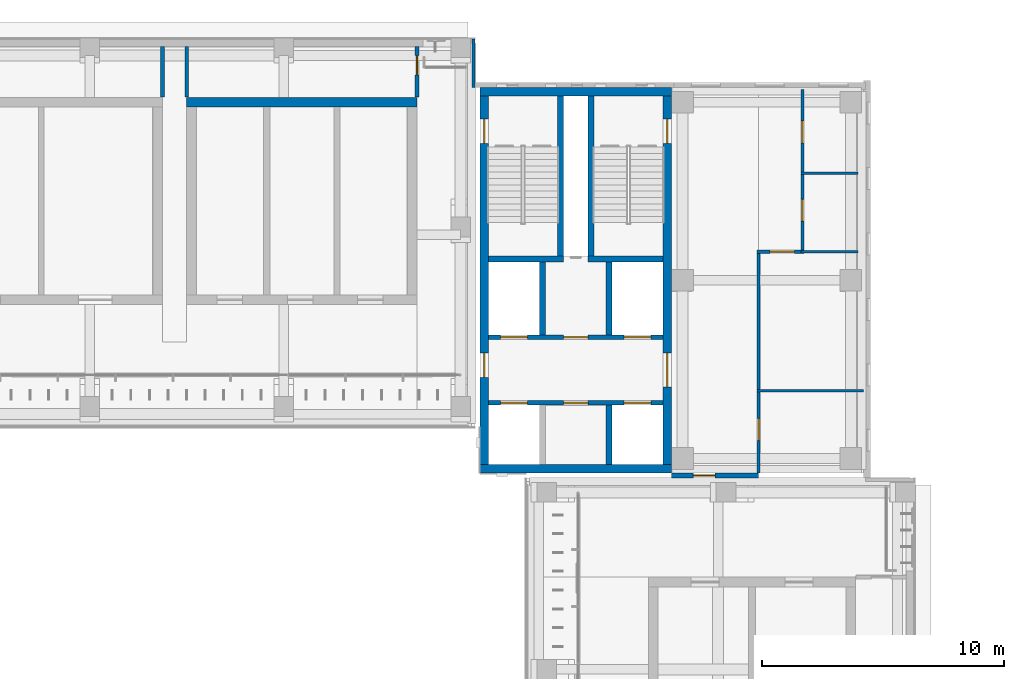
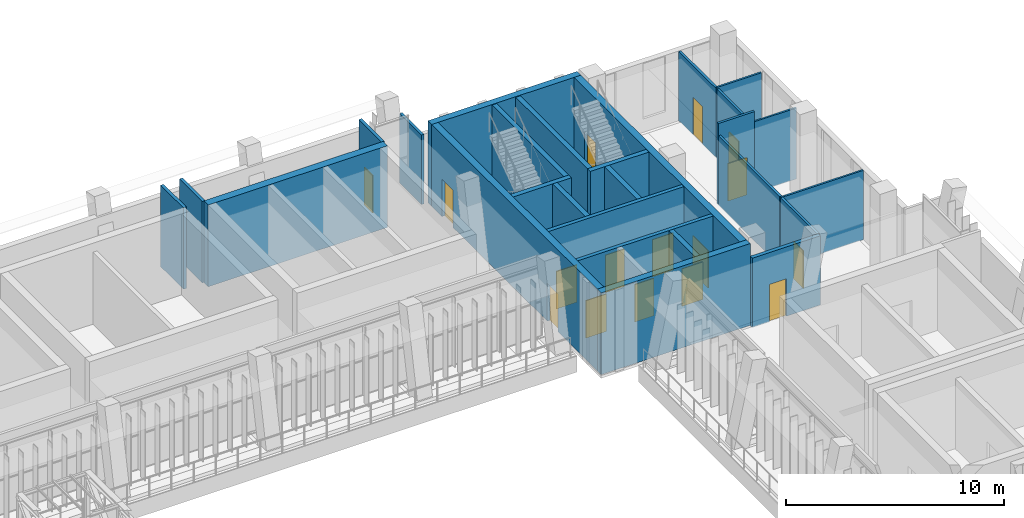
# One storey, part 114 of 141: 25 walls, 16 doors, 16 openings.
"""IFC4 building model written with IfcOpenShell, lengths in metres."""

from ifc_helpers import new_model, si_unit, direction, frame, frame_2d, origin, place, context, subcontext, project, spatial, rectangle, extrude, material, layer, layer_set, type_object, element, fill, save


model = new_model("IFC4")

# Units and contexts
model_context = context("Model", 3, precision=1e-05, world=origin(), true_north=direction((0.0, 1.0)))
body_context = subcontext(model_context, "Body", "Model", "MODEL_VIEW")
ifc_project = project(units=[si_unit("LENGTHUNIT", "METRE"), si_unit("AREAUNIT", "SQUARE_METRE"), si_unit("VOLUMEUNIT", "CUBIC_METRE"), si_unit("PLANEANGLEUNIT", "RADIAN"), si_unit("MASSUNIT", "GRAM", prefix="KILO")], contexts=[model_context])

# Site, building, storey
site_placement = place(None, origin())
site = spatial("IfcSite", under=ifc_project, at=site_placement, CompositionType="ELEMENT")
building_placement = place(site_placement, origin())
building = spatial("IfcBuilding", under=site, at=building_placement, Name="Lantern Court Media Centre", CompositionType="ELEMENT")
storey_placement = place(building_placement, frame((0.0, 0.0, 9.60009765625)))
storey = spatial("IfcBuildingStorey", under=building, at=storey_placement, Name="L02", CompositionType="ELEMENT", Elevation=9.60009765625)

# Wall, opening, door
ifc_material_1 = material(Name="Gypsum board partition")
ifc_layer_1 = layer(ifc_material_1, 0.125)
ifc_layer_set_1 = layer_set([ifc_layer_1], Name="Gypsum board partition")
wall_type_1 = type_object("IfcWallType", Name="Corridor partition 125", PredefinedType="PARTITIONING", material=ifc_layer_set_1)
wall_1_placement = place(storey_placement, frame((91.60009765625, 96.10009765625, 0.0), z_axis=(0.0, 0.0, 1.0), x_axis=(0.0, 1.0, 0.0)))
wall_1 = element("IfcWall", 1, at=wall_1_placement, inside=storey, type_object=wall_type_1, Name="L02 partition 045", PredefinedType="PARTITIONING", context=body_context, shape_type="SweptSolid", body=[
    extrude(rectangle(XDim=9.06787109375, YDim=0.125, at=frame_2d((4.533935546875, 0.0))), origin(), (0.0, 0.0, 1.0), 3.8798828125),
])
opening_1_placement = place(wall_1_placement, frame((1.342529296875, 0.0, 0.0)))
opening_1 = element("IfcOpeningElement", 2, at=opening_1_placement, cuts=wall_1, Name="Opening L02-044", PredefinedType="OPENING", context=body_context, shape_type="SweptSolid", body=[
    extrude(rectangle(XDim=0.89990234375, YDim=2.10009765625, at=frame_2d((0.449951171875, 1.050048828125))), frame((0.0, 0.072509765625, 0.0), z_axis=(0.0, -1.0, 0.0), x_axis=(1.0, 0.0, 0.0)), (0.0, 0.0, 1.0), 0.14501953125),
])
ifc_material_2 = material(Name="Solid-core timber door leaf", Category="wood")
door_type_1 = type_object("IfcDoorType", Name="Single door 900x2100", OperationType="NOTDEFINED", PredefinedType="DOOR", material=ifc_material_2)
door_1_placement = place(opening_1_placement, frame((0.89990234375, 0.0, 0.0), z_axis=(0.0, 0.0, 1.0), x_axis=(-1.0, 0.0, 0.0)))
door_1 = element("IfcDoor", 3, at=door_1_placement, inside=storey, type_object=door_type_1, Name="L02 Equipment Store door", OperationType="SINGLE_SWING_LEFT", OverallHeight=2.10009765625, OverallWidth=0.89990234375, PredefinedType="DOOR", context=body_context, shape_type="SweptSolid", body=[
    extrude(rectangle(XDim=0.89990234375, YDim=2.10009765625, at=frame_2d((0.449951171875, 1.050048828125))), frame((0.0, 0.02490234375, 0.0), z_axis=(0.0, -1.0, 0.0), x_axis=(1.0, 0.0, 0.0)), (0.0, 0.0, 1.0), 0.050048828125),
])
fill(opening_1, door_1)

# Wall, openings, doors
wall_2_placement = place(storey_placement, frame((93.39990234375, 105.29296875, 0.0), z_axis=(0.0, 0.0, 1.0), x_axis=(0.0, 1.0, 0.0)))
wall_2 = element("IfcWall", 4, at=wall_2_placement, inside=storey, type_object=wall_type_1, Name="L02 partition 050", PredefinedType="PARTITIONING", context=body_context, shape_type="SweptSolid", body=[
    extrude(rectangle(XDim=6.626953125, YDim=0.125, at=frame_2d((3.3134765625, 0.0))), origin(), (0.0, 0.0, 1.0), 3.8798828125),
])
opening_2_placement = place(wall_2_placement, frame((4.431884765625, 0.0, 0.0)))
opening_2 = element("IfcOpeningElement", 5, at=opening_2_placement, cuts=wall_2, Name="Opening L02-045", PredefinedType="OPENING", context=body_context, shape_type="SweptSolid", body=[
    extrude(rectangle(XDim=0.89990234375, YDim=2.10009765625, at=frame_2d((0.449951171875, 1.050048828125))), frame((0.0, 0.072509765625, 0.0), z_axis=(0.0, -1.0, 0.0), x_axis=(1.0, 0.0, 0.0)), (0.0, 0.0, 1.0), 0.14501953125),
])
opening_3_placement = place(wall_2_placement, frame((1.197021484375, 0.0, 0.0)))
opening_3 = element("IfcOpeningElement", 6, at=opening_3_placement, cuts=wall_2, Name="Opening L02-046", PredefinedType="OPENING", context=body_context, shape_type="SweptSolid", body=[
    extrude(rectangle(XDim=0.89990234375, YDim=2.10009765625, at=frame_2d((0.449951171875, 1.050048828125))), frame((0.0, 0.072509765625, 0.0), z_axis=(0.0, -1.0, 0.0), x_axis=(1.0, 0.0, 0.0)), (0.0, 0.0, 1.0), 0.14501953125),
])
door_2_placement = place(opening_2_placement, frame((0.89990234375, 0.0, 0.0), z_axis=(0.0, 0.0, 1.0), x_axis=(-1.0, 0.0, 0.0)))
door_2 = element("IfcDoor", 7, at=door_2_placement, inside=storey, type_object=door_type_1, Name="L02 WC Male door", OperationType="SINGLE_SWING_RIGHT", OverallHeight=2.10009765625, OverallWidth=0.89990234375, PredefinedType="DOOR", context=body_context, shape_type="SweptSolid", body=[
    extrude(rectangle(XDim=0.89990234375, YDim=2.10009765625, at=frame_2d((0.449951171875, 1.050048828125))), frame((0.0, 0.02490234375, 0.0), z_axis=(0.0, -1.0, 0.0), x_axis=(1.0, 0.0, 0.0)), (0.0, 0.0, 1.0), 0.050048828125),
])
fill(opening_2, door_2)
door_3_placement = place(opening_3_placement, frame((0.89990234375, 0.0, 0.0), z_axis=(0.0, 0.0, 1.0), x_axis=(-1.0, 0.0, 0.0)))
door_3 = element("IfcDoor", 8, at=door_3_placement, inside=storey, type_object=door_type_1, Name="L02 WC Female door", OperationType="SINGLE_SWING_LEFT", OverallHeight=2.10009765625, OverallWidth=0.89990234375, PredefinedType="DOOR", context=body_context, shape_type="SweptSolid", body=[
    extrude(rectangle(XDim=0.89990234375, YDim=2.10009765625, at=frame_2d((0.449951171875, 1.050048828125))), frame((0.0, 0.02490234375, 0.0), z_axis=(0.0, -1.0, 0.0), x_axis=(1.0, 0.0, 0.0)), (0.0, 0.0, 1.0), 0.050048828125),
])
fill(opening_3, door_3)

# Wall, opening, door
wall_3_placement = place(storey_placement, frame((91.53759765625, 105.22998046875, 0.0), z_axis=(0.0, 0.0, 1.0), x_axis=(1.0, 0.0, 0.0)))
wall_3 = element("IfcWall", 9, at=wall_3_placement, inside=storey, type_object=wall_type_1, Name="L02 partition 057", PredefinedType="PARTITIONING", context=body_context, shape_type="SweptSolid", body=[
    extrude(rectangle(XDim=1.9248046875, YDim=0.125, at=frame_2d((0.96240234375, 0.0))), origin(), (0.0, 0.0, 1.0), 4.559814453125),
])
opening_4_placement = place(wall_3_placement, frame((0.53515625, 0.0, 0.0)))
opening_4 = element("IfcOpeningElement", 10, at=opening_4_placement, cuts=wall_3, Name="Opening L02-043", PredefinedType="OPENING", context=body_context, shape_type="SweptSolid", body=[
    extrude(rectangle(XDim=1.0, YDim=2.10009765625, at=frame_2d((0.5, 1.050048828125))), frame((0.0, 0.072509765625, 0.0), z_axis=(0.0, -1.0, 0.0), x_axis=(1.0, 0.0, 0.0)), (0.0, 0.0, 1.0), 0.14501953125),
])
door_type_2 = type_object("IfcDoorType", Name="Single door 1000x2100", OperationType="NOTDEFINED", PredefinedType="DOOR", material=ifc_material_2)
door_4_placement = place(opening_4_placement, frame((1.0, 0.0, 0.0), z_axis=(0.0, 0.0, 1.0), x_axis=(-1.0, 0.0, 0.0)))
door_4 = element("IfcDoor", 11, at=door_4_placement, inside=storey, type_object=door_type_2, Name="L02 Broadcast Programming Office 03 door", OperationType="SINGLE_SWING_RIGHT", OverallHeight=2.10009765625, OverallWidth=1.0, PredefinedType="DOOR", context=body_context, shape_type="SweptSolid", body=[
    extrude(rectangle(XDim=1.0, YDim=2.10009765625, at=frame_2d((0.5, 1.050048828125))), frame((0.0, 0.02490234375, 0.0), z_axis=(0.0, -1.0, 0.0), x_axis=(1.0, 0.0, 0.0)), (0.0, 0.0, 1.0), 0.050048828125),
])
fill(opening_4, door_4)

# Wall, openings, doors
ifc_material_3 = material(Name="Concrete C40", Category="concrete")
ifc_layer_2 = layer(ifc_material_3, 0.199951171875)
ifc_layer_set_2 = layer_set([ifc_layer_2], Name="Concrete C40")
wall_type_2 = type_object("IfcWallType", Name="Fire lobby wall 200", PredefinedType="SOLIDWALL", material=ifc_layer_set_2)
wall_4_placement = place(storey_placement, frame((87.64990234375, 101.699951171875, 0.0), z_axis=(0.0, 0.0, 1.0), x_axis=(-1.0, 0.0, 0.0)))
wall_4 = element("IfcWall", 12, at=wall_4_placement, inside=storey, type_object=wall_type_2, Name="L02 NE FW1", PredefinedType="SOLIDWALL", context=body_context, shape_type="SweptSolid", body=[
    extrude(rectangle(XDim=7.199951171875, YDim=0.199951171875, at=frame_2d((3.60009765625, 0.0))), origin(), (0.0, 0.0, 1.0), 4.5498046875),
])
opening_5_placement = place(wall_4_placement, frame((0.5, 0.0, 0.0)))
opening_5 = element("IfcOpeningElement", 13, at=opening_5_placement, cuts=wall_4, Name="Opening LD-NEFF-L02", PredefinedType="OPENING", context=body_context, shape_type="SweptSolid", body=[
    extrude(rectangle(XDim=1.10009765625, YDim=2.10009765625, at=frame_2d((0.550048828125, 1.050048828125))), frame((0.0, 0.10986328125, 0.0), z_axis=(0.0, -1.0, 0.0), x_axis=(1.0, 0.0, 0.0)), (0.0, 0.0, 1.0), 0.219970703125),
])
opening_6_placement = place(wall_4_placement, frame((5.60009765625, 0.0, 0.0)))
opening_6 = element("IfcOpeningElement", 14, at=opening_6_placement, cuts=wall_4, Name="Opening LD-NEP1-L02", PredefinedType="OPENING", context=body_context, shape_type="SweptSolid", body=[
    extrude(rectangle(XDim=1.10009765625, YDim=2.10009765625, at=frame_2d((0.550048828125, 1.050048828125))), frame((0.0, 0.10986328125, 0.0), z_axis=(0.0, -1.0, 0.0), x_axis=(1.0, 0.0, 0.0)), (0.0, 0.0, 1.0), 0.219970703125),
])
opening_7_placement = place(wall_4_placement, frame((3.10009765625, 0.0, 0.0)))
opening_7 = element("IfcOpeningElement", 15, at=opening_7_placement, cuts=wall_4, Name="Opening NE-L02-03", PredefinedType="OPENING", context=body_context, shape_type="SweptSolid", body=[
    extrude(rectangle(XDim=1.0, YDim=2.10009765625, at=frame_2d((0.5, 1.050048828125))), frame((0.0, 0.10986328125, 0.0), z_axis=(0.0, -1.0, 0.0), x_axis=(1.0, 0.0, 0.0)), (0.0, 0.0, 1.0), 0.219970703125),
])
ifc_material_4 = material(Name="Steel door leaf", Category="steel")
door_type_3 = type_object("IfcDoorType", Name="Lift landing door 1100x2100", OperationType="DOUBLE_DOOR_SLIDING", PredefinedType="DOOR", material=ifc_material_4)
door_5_placement = place(opening_5_placement, origin())
door_5 = element("IfcDoor", 16, at=door_5_placement, inside=storey, type_object=door_type_3, Name="L02 NE lift FF landing door", OperationType="DOUBLE_DOOR_SLIDING", OverallHeight=2.10009765625, OverallWidth=1.10009765625, PredefinedType="DOOR", context=body_context, shape_type="SweptSolid", body=[
    extrude(rectangle(XDim=1.10009765625, YDim=2.10009765625, at=frame_2d((0.550048828125, 1.050048828125))), frame((0.0, 0.02490234375, 0.0), z_axis=(0.0, -1.0, 0.0), x_axis=(1.0, 0.0, 0.0)), (0.0, 0.0, 1.0), 0.050048828125),
])
fill(opening_5, door_5)
door_6_placement = place(opening_6_placement, origin())
door_6 = element("IfcDoor", 17, at=door_6_placement, inside=storey, type_object=door_type_3, Name="L02 NE lift P1 landing door", OperationType="DOUBLE_DOOR_SLIDING", OverallHeight=2.10009765625, OverallWidth=1.10009765625, PredefinedType="DOOR", context=body_context, shape_type="SweptSolid", body=[
    extrude(rectangle(XDim=1.10009765625, YDim=2.10009765625, at=frame_2d((0.550048828125, 1.050048828125))), frame((0.0, 0.02490234375, 0.0), z_axis=(0.0, -1.0, 0.0), x_axis=(1.0, 0.0, 0.0)), (0.0, 0.0, 1.0), 0.050048828125),
])
fill(opening_6, door_6)
door_type_4 = type_object("IfcDoorType", Name="Service door 1000x2100", OperationType="NOTDEFINED", PredefinedType="DOOR", material=ifc_material_4)
door_7_placement = place(opening_7_placement, origin())
door_7 = element("IfcDoor", 18, at=door_7_placement, inside=storey, type_object=door_type_4, Name="L02 NE services riser door", OperationType="SINGLE_SWING_LEFT", OverallHeight=2.10009765625, OverallWidth=1.0, PredefinedType="DOOR", context=body_context, shape_type="SweptSolid", body=[
    extrude(rectangle(XDim=1.0, YDim=2.10009765625, at=frame_2d((0.5, 1.050048828125))), frame((0.0, 0.02490234375, 0.0), z_axis=(0.0, -1.0, 0.0), x_axis=(1.0, 0.0, 0.0)), (0.0, 0.0, 1.0), 0.050048828125),
])
fill(opening_7, door_7)

wall_5_placement = place(storey_placement, frame((87.64990234375, 99.0, 0.0), z_axis=(0.0, 0.0, 1.0), x_axis=(-1.0, 0.0, 0.0)))
wall_5 = element("IfcWall", 19, at=wall_5_placement, inside=storey, type_object=wall_type_2, Name="L02 NE FW2", PredefinedType="SOLIDWALL", context=body_context, shape_type="SweptSolid", body=[
    extrude(rectangle(XDim=7.199951171875, YDim=0.199951171875, at=frame_2d((3.60009765625, 0.0))), origin(), (0.0, 0.0, 1.0), 4.5498046875),
])
opening_8_placement = place(wall_5_placement, frame((0.5, 0.0, 0.0)))
opening_8 = element("IfcOpeningElement", 20, at=opening_8_placement, cuts=wall_5, Name="Opening LD-NEP2-L02", PredefinedType="OPENING", context=body_context, shape_type="SweptSolid", body=[
    extrude(rectangle(XDim=1.10009765625, YDim=2.10009765625, at=frame_2d((0.550048828125, 1.050048828125))), frame((0.0, 0.10986328125, 0.0), z_axis=(0.0, -1.0, 0.0), x_axis=(1.0, 0.0, 0.0)), (0.0, 0.0, 1.0), 0.219970703125),
])
opening_9_placement = place(wall_5_placement, frame((5.60009765625, 0.0, 0.0)))
opening_9 = element("IfcOpeningElement", 21, at=opening_9_placement, cuts=wall_5, Name="Opening LD-NEP3-L02", PredefinedType="OPENING", context=body_context, shape_type="SweptSolid", body=[
    extrude(rectangle(XDim=1.10009765625, YDim=2.10009765625, at=frame_2d((0.550048828125, 1.050048828125))), frame((0.0, 0.10986328125, 0.0), z_axis=(0.0, -1.0, 0.0), x_axis=(1.0, 0.0, 0.0)), (0.0, 0.0, 1.0), 0.219970703125),
])
opening_10_placement = place(wall_5_placement, frame((3.10009765625, 0.0, 0.0)))
opening_10 = element("IfcOpeningElement", 22, at=opening_10_placement, cuts=wall_5, Name="Opening NE-L02-04", PredefinedType="OPENING", context=body_context, shape_type="SweptSolid", body=[
    extrude(rectangle(XDim=1.0, YDim=2.10009765625, at=frame_2d((0.5, 1.050048828125))), frame((0.0, 0.10986328125, 0.0), z_axis=(0.0, -1.0, 0.0), x_axis=(1.0, 0.0, 0.0)), (0.0, 0.0, 1.0), 0.219970703125),
])
door_8_placement = place(opening_8_placement, frame((1.10009765625, 0.0, 0.0), z_axis=(0.0, 0.0, 1.0), x_axis=(-1.0, 0.0, 0.0)))
door_8 = element("IfcDoor", 23, at=door_8_placement, inside=storey, type_object=door_type_3, Name="L02 NE lift P2 landing door", OperationType="DOUBLE_DOOR_SLIDING", OverallHeight=2.10009765625, OverallWidth=1.10009765625, PredefinedType="DOOR", context=body_context, shape_type="SweptSolid", body=[
    extrude(rectangle(XDim=1.10009765625, YDim=2.10009765625, at=frame_2d((0.550048828125, 1.050048828125))), frame((0.0, 0.02490234375, 0.0), z_axis=(0.0, -1.0, 0.0), x_axis=(1.0, 0.0, 0.0)), (0.0, 0.0, 1.0), 0.050048828125),
])
fill(opening_8, door_8)
door_9_placement = place(opening_9_placement, frame((1.10009765625, 0.0, 0.0), z_axis=(0.0, 0.0, 1.0), x_axis=(-1.0, 0.0, 0.0)))
door_9 = element("IfcDoor", 24, at=door_9_placement, inside=storey, type_object=door_type_3, Name="L02 NE lift P3 landing door", OperationType="DOUBLE_DOOR_SLIDING", OverallHeight=2.10009765625, OverallWidth=1.10009765625, PredefinedType="DOOR", context=body_context, shape_type="SweptSolid", body=[
    extrude(rectangle(XDim=1.10009765625, YDim=2.10009765625, at=frame_2d((0.550048828125, 1.050048828125))), frame((0.0, 0.02490234375, 0.0), z_axis=(0.0, -1.0, 0.0), x_axis=(1.0, 0.0, 0.0)), (0.0, 0.0, 1.0), 0.050048828125),
])
fill(opening_9, door_9)
door_10_placement = place(opening_10_placement, frame((1.0, 0.0, 0.0), z_axis=(0.0, 0.0, 1.0), x_axis=(-1.0, 0.0, 0.0)))
door_10 = element("IfcDoor", 25, at=door_10_placement, inside=storey, type_object=door_type_4, Name="L02 NE accessible WC door", OperationType="SINGLE_SWING_RIGHT", OverallHeight=2.10009765625, OverallWidth=1.0, PredefinedType="DOOR", context=body_context, shape_type="SweptSolid", body=[
    extrude(rectangle(XDim=1.0, YDim=2.10009765625, at=frame_2d((0.5, 1.050048828125))), frame((0.0, 0.02490234375, 0.0), z_axis=(0.0, -1.0, 0.0), x_axis=(1.0, 0.0, 0.0)), (0.0, 0.0, 1.0), 0.050048828125),
])
fill(opening_10, door_10)

# Wall
ifc_material_5 = material(Name="Honed limestone cladding on blockwork", Category="masonry")
ifc_layer_3 = layer(ifc_material_5, 0.139892578125)
ifc_layer_set_3 = layer_set([ifc_layer_3], Name="Honed limestone cladding on blockwork")
wall_type_3 = type_object("IfcWallType", Name="Limestone closure wall 140", PredefinedType="SOLIDWALL", material=ifc_layer_set_3)
wall_6_placement = place(storey_placement, frame((79.830078125, 112.0, 0.0), z_axis=(0.0, 0.0, 1.0), x_axis=(0.0, 1.0, 0.0)))
element("IfcWall", 26, at=wall_6_placement, inside=storey, type_object=wall_type_3, Name="Limestone closure wall N-NE L02", PredefinedType="SOLIDWALL", context=body_context, shape_type="SweptSolid", body=[
    extrude(rectangle(XDim=2.0, YDim=0.139892578125, at=frame_2d((1.0, 0.0))), origin(), (0.0, 0.0, 1.0), 3.89990234375),
])

# Wall, opening, door
ifc_material_6 = material(Name="Fire-rated gypsum board")
ifc_layer_4 = layer(ifc_material_6, 0.199951171875)
ifc_layer_set_4 = layer_set([ifc_layer_4], Name="Fire-rated gypsum board")
wall_type_4 = type_object("IfcWallType", Name="Movement-joint compartment wall 200", PredefinedType="PARTITIONING", material=ifc_layer_set_4)
wall_7_placement = place(storey_placement, frame((88.0, 96.0, 0.0), z_axis=(0.0, 0.0, 1.0), x_axis=(1.0, 0.0, 0.0)))
wall_7 = element("IfcWall", 27, at=wall_7_placement, inside=storey, type_object=wall_type_4, Name="L02 movement-joint wall 10", PredefinedType="PARTITIONING", context=body_context, shape_type="SweptSolid", body=[
    extrude(rectangle(XDim=3.60009765625, YDim=0.199951171875, at=frame_2d((1.800048828125, 0.0))), origin(), (0.0, 0.0, 1.0), 3.8798828125),
])
opening_11_placement = place(wall_7_placement, frame((0.89990234375, 0.0, 0.0)))
opening_11 = element("IfcOpeningElement", 28, at=opening_11_placement, cuts=wall_7, Name="Opening L02-J10", PredefinedType="OPENING", context=body_context, shape_type="SweptSolid", body=[
    extrude(rectangle(XDim=0.89990234375, YDim=2.10009765625, at=frame_2d((0.449951171875, 1.050048828125))), frame((0.0, 0.10986328125, 0.0), z_axis=(0.0, -1.0, 0.0), x_axis=(1.0, 0.0, 0.0)), (0.0, 0.0, 1.0), 0.219970703125),
])
door_type_5 = type_object("IfcDoorType", Name="Movement-joint fire door 900x2100", OperationType="NOTDEFINED", PredefinedType="DOOR", material=ifc_material_4)
door_11_placement = place(opening_11_placement, origin())
door_11 = element("IfcDoor", 29, at=door_11_placement, inside=storey, type_object=door_type_5, Name="L02 bar end lobby door 10", OperationType="SINGLE_SWING_RIGHT", OverallHeight=2.10009765625, OverallWidth=0.89990234375, PredefinedType="DOOR", context=body_context, shape_type="SweptSolid", body=[
    extrude(rectangle(XDim=0.89990234375, YDim=2.10009765625, at=frame_2d((0.449951171875, 1.050048828125))), frame((0.0, 0.02490234375, 0.0), z_axis=(0.0, -1.0, 0.0), x_axis=(1.0, 0.0, 0.0)), (0.0, 0.0, 1.0), 0.050048828125),
])
fill(opening_11, door_11)

# Walls
ifc_layer_5 = layer(ifc_material_1, 0.10009765625)
ifc_layer_set_5 = layer_set([ifc_layer_5], Name="Gypsum board partition")
wall_type_5 = type_object("IfcWallType", Name="Partition 100", PredefinedType="PARTITIONING", material=ifc_layer_set_5)
wall_8_placement = place(storey_placement, frame((91.53759765625, 99.490966796875, 0.0), z_axis=(0.0, 0.0, 1.0), x_axis=(1.0, 0.0, 0.0)))
element("IfcWall", 30, at=wall_8_placement, inside=storey, type_object=wall_type_5, Name="L02 partition 056", PredefinedType="PARTITIONING", context=body_context, shape_type="SweptSolid", body=[
    extrude(rectangle(XDim=4.38232421875, YDim=0.10009765625, at=frame_2d((2.191162109375, 0.0))), origin(), (0.0, 0.0, 1.0), 3.8798828125),
])
for number, where, z_axis, x_axis, name in (
    (31, (93.33740234375, 105.22998046875, 0.0), (0.0, 0.0, 1.0), (1.0, 0.0, 0.0), "L02 partition 058"),
    (32, (93.33740234375, 108.465087890625, 0.0), (0.0, 0.0, 1.0), (1.0, 0.0, 0.0), "L02 partition 059"),
):
    element("IfcWall", number, at=place(storey_placement, frame(where, z_axis=z_axis, x_axis=x_axis)), inside=storey, type_object=wall_type_5, Name=name, PredefinedType="PARTITIONING", context=body_context, shape_type="SweptSolid", body=[
        extrude(rectangle(XDim=2.362548828125, YDim=0.10009765625, at=frame_2d((1.18115234375, 0.0))), origin(), (0.0, 0.0, 1.0), 3.97998046875),
    ])
ifc_layer_6 = layer(ifc_material_3, 0.35009765625)
ifc_layer_set_6 = layer_set([ifc_layer_6], Name="Concrete C40")
wall_type_6 = type_object("IfcWallType", Name="RC CORE WALL 350", PredefinedType="SHEAR", material=ifc_layer_set_6)
for number, where, z_axis, x_axis, name in (
    (33, (80.10009765625, 96.27490234375, 0.0), (0.0, 0.0, 1.0), (1.0, 0.0, 0.0), "WC-NE-L02-S"),
    (34, (80.10009765625, 111.824951171875, 0.0), (0.0, 0.0, 1.0), (1.0, 0.0, 0.0), "WC-NE-L02-N"),
):
    element("IfcWall", number, at=place(storey_placement, frame(where, z_axis=z_axis, x_axis=x_axis)), inside=storey, type_object=wall_type_6, Name=name, PredefinedType="SHEAR", context=body_context, shape_type="SweptSolid", body=[
        extrude(rectangle(XDim=7.89990234375, YDim=0.35009765625, at=frame_2d((3.949951171875, 0.0))), origin(), (0.0, 0.0, 1.0), 4.579833984375),
    ])

# Wall, openings, doors
wall_9_placement = place(storey_placement, frame((80.27490234375, 96.449951171875, 0.0), z_axis=(0.0, 0.0, 1.0), x_axis=(0.0, 1.0, 0.0)))
wall_9 = element("IfcWall", 35, at=wall_9_placement, inside=storey, type_object=wall_type_6, Name="WC-NE-L02-W", PredefinedType="SHEAR", context=body_context, shape_type="SweptSolid", body=[
    extrude(rectangle(XDim=15.199951171875, YDim=0.35009765625, at=frame_2d((7.60009765625, 0.0))), origin(), (0.0, 0.0, 1.0), 4.579833984375),
])
opening_12_placement = place(wall_9_placement, frame((13.25, 0.0, 0.0)))
opening_12 = element("IfcOpeningElement", 36, at=opening_12_placement, cuts=wall_9, Name="Opening NE-L02-02", PredefinedType="OPENING", context=body_context, shape_type="SweptSolid", body=[
    extrude(rectangle(XDim=1.0, YDim=2.10009765625, at=frame_2d((0.5, 1.050048828125))), frame((0.0, 0.18505859375, 0.0), z_axis=(0.0, -1.0, 0.0), x_axis=(1.0, 0.0, 0.0)), (0.0, 0.0, 1.0), 0.3701171875),
])
opening_13_placement = place(wall_9_placement, frame((3.60009765625, 0.0, 0.0)))
opening_13 = element("IfcOpeningElement", 37, at=opening_13_placement, cuts=wall_9, Name="Opening NE-L02-06", PredefinedType="OPENING", context=body_context, shape_type="SweptSolid", body=[
    extrude(rectangle(XDim=1.0, YDim=2.10009765625, at=frame_2d((0.5, 1.050048828125))), frame((0.0, 0.18505859375, 0.0), z_axis=(0.0, -1.0, 0.0), x_axis=(1.0, 0.0, 0.0)), (0.0, 0.0, 1.0), 0.3701171875),
])
door_type_6 = type_object("IfcDoorType", Name="Lift lobby single door 1000x2100", OperationType="NOTDEFINED", PredefinedType="DOOR", material=ifc_material_4)
door_12_placement = place(opening_13_placement, origin())
door_12 = element("IfcDoor", 38, at=door_12_placement, inside=storey, type_object=door_type_6, Name="L02 NE lift lobby east door", OperationType="SINGLE_SWING_RIGHT", OverallHeight=2.10009765625, OverallWidth=1.0, PredefinedType="DOOR", context=body_context, shape_type="SweptSolid", body=[
    extrude(rectangle(XDim=1.0, YDim=2.10009765625, at=frame_2d((0.5, 1.050048828125))), frame((0.0, 0.02490234375, 0.0), z_axis=(0.0, -1.0, 0.0), x_axis=(1.0, 0.0, 0.0)), (0.0, 0.0, 1.0), 0.050048828125),
])
fill(opening_13, door_12)
door_type_7 = type_object("IfcDoorType", Name="Stair door 1000x2100", OperationType="NOTDEFINED", PredefinedType="DOOR", material=ifc_material_4)
door_13_placement = place(opening_12_placement, origin())
door_13 = element("IfcDoor", 39, at=door_13_placement, inside=storey, type_object=door_type_7, Name="L02 NE stair B door", OperationType="SINGLE_SWING_RIGHT", OverallHeight=2.10009765625, OverallWidth=1.0, PredefinedType="DOOR", context=body_context, shape_type="SweptSolid", body=[
    extrude(rectangle(XDim=1.0, YDim=2.10009765625, at=frame_2d((0.5, 1.050048828125))), frame((0.0, 0.02490234375, 0.0), z_axis=(0.0, -1.0, 0.0), x_axis=(1.0, 0.0, 0.0)), (0.0, 0.0, 1.0), 0.050048828125),
])
fill(opening_12, door_13)

wall_10_placement = place(storey_placement, frame((87.824951171875, 96.449951171875, 0.0), z_axis=(0.0, 0.0, 1.0), x_axis=(0.0, 1.0, 0.0)))
wall_10 = element("IfcWall", 40, at=wall_10_placement, inside=storey, type_object=wall_type_6, Name="WC-NE-L02-E", PredefinedType="SHEAR", context=body_context, shape_type="SweptSolid", body=[
    extrude(rectangle(XDim=15.199951171875, YDim=0.35009765625, at=frame_2d((7.60009765625, 0.0))), origin(), (0.0, 0.0, 1.0), 4.579833984375),
])
opening_14_placement = place(wall_10_placement, frame((13.25, 0.0, 0.0)))
opening_14 = element("IfcOpeningElement", 41, at=opening_14_placement, cuts=wall_10, Name="Opening NE-L02-01", PredefinedType="OPENING", context=body_context, shape_type="SweptSolid", body=[
    extrude(rectangle(XDim=1.0, YDim=2.10009765625, at=frame_2d((0.5, 1.050048828125))), frame((0.0, 0.18505859375, 0.0), z_axis=(0.0, -1.0, 0.0), x_axis=(1.0, 0.0, 0.0)), (0.0, 0.0, 1.0), 0.3701171875),
])
opening_15_placement = place(wall_10_placement, frame((3.199951171875, 0.0, 0.0)))
opening_15 = element("IfcOpeningElement", 42, at=opening_15_placement, cuts=wall_10, Name="Opening NE-L02-05", PredefinedType="OPENING", context=body_context, shape_type="SweptSolid", body=[
    extrude(rectangle(XDim=1.39990234375, YDim=2.10009765625, at=frame_2d((0.699951171875, 1.050048828125))), frame((0.0, 0.18505859375, 0.0), z_axis=(0.0, -1.0, 0.0), x_axis=(1.0, 0.0, 0.0)), (0.0, 0.0, 1.0), 0.3701171875),
])
door_type_8 = type_object("IfcDoorType", Name="Lift lobby double door 1400x2100", OperationType="NOTDEFINED", PredefinedType="DOOR", material=ifc_material_4)
door_14_placement = place(opening_15_placement, frame((1.39990234375, 0.0, 0.0), z_axis=(0.0, 0.0, 1.0), x_axis=(-1.0, 0.0, 0.0)))
door_14 = element("IfcDoor", 43, at=door_14_placement, inside=storey, type_object=door_type_8, Name="L02 NE lift lobby west door", OperationType="SINGLE_SWING_LEFT", OverallHeight=2.10009765625, OverallWidth=1.39990234375, PredefinedType="DOOR", context=body_context, shape_type="SweptSolid", body=[
    extrude(rectangle(XDim=1.39990234375, YDim=2.10009765625, at=frame_2d((0.699951171875, 1.050048828125))), frame((0.0, 0.02490234375, 0.0), z_axis=(0.0, -1.0, 0.0), x_axis=(1.0, 0.0, 0.0)), (0.0, 0.0, 1.0), 0.050048828125),
])
fill(opening_15, door_14)
door_15_placement = place(opening_14_placement, frame((1.0, 0.0, 0.0), z_axis=(0.0, 0.0, 1.0), x_axis=(-1.0, 0.0, 0.0)))
door_15 = element("IfcDoor", 44, at=door_15_placement, inside=storey, type_object=door_type_7, Name="L02 NE stair A door", OperationType="SINGLE_SWING_LEFT", OverallHeight=2.10009765625, OverallWidth=1.0, PredefinedType="DOOR", context=body_context, shape_type="SweptSolid", body=[
    extrude(rectangle(XDim=1.0, YDim=2.10009765625, at=frame_2d((0.5, 1.050048828125))), frame((0.0, 0.02490234375, 0.0), z_axis=(0.0, -1.0, 0.0), x_axis=(1.0, 0.0, 0.0)), (0.0, 0.0, 1.0), 0.050048828125),
])
fill(opening_14, door_15)

# Walls
ifc_layer_7 = layer(ifc_material_3, 0.39990234375)
ifc_layer_set_7 = layer_set([ifc_layer_7], Name="Concrete C40")
wall_type_7 = type_object("IfcWallType", Name="RC SHEAR WALL 400", PredefinedType="SHEAR", material=ifc_layer_set_7)
wall_11_placement = place(storey_placement, frame((68.0, 111.39990234375, 0.0), z_axis=(0.0, 0.0, 1.0), x_axis=(1.0, 0.0, 0.0)))
element("IfcWall", 45, at=wall_11_placement, inside=storey, type_object=wall_type_7, Name="WB-N-EDB-L02-N", PredefinedType="SHEAR", context=body_context, shape_type="SweptSolid", body=[
    extrude(rectangle(XDim=9.5, YDim=0.39990234375, at=frame_2d((4.75, 0.0))), origin(), (0.0, 0.0, 1.0), 4.579833984375),
])
ifc_layer_8 = layer(ifc_material_3, 0.25)
ifc_layer_set_8 = layer_set([ifc_layer_8], Name="Concrete C40")
wall_type_8 = type_object("IfcWallType", Name="RC lift shaft wall 250", PredefinedType="SOLIDWALL", material=ifc_layer_set_8)
wall_12_placement = place(storey_placement, frame((85.425048828125, 104.800048828125, 0.0), z_axis=(0.0, 0.0, 1.0), x_axis=(0.0, -1.0, 0.0)))
element("IfcWall", 46, at=wall_12_placement, inside=storey, type_object=wall_type_8, Name="L02 NE L1a", PredefinedType="SOLIDWALL", context=body_context, shape_type="SweptSolid", body=[
    extrude(rectangle(XDim=3.0, YDim=0.25, at=frame_2d((1.5, 0.0))), origin(), (0.0, 0.0, 1.0), 4.5498046875),
])
wall_13_placement = place(storey_placement, frame((85.425048828125, 98.89990234375, 0.0), z_axis=(0.0, 0.0, 1.0), x_axis=(0.0, -1.0, 0.0)))
element("IfcWall", 47, at=wall_13_placement, inside=storey, type_object=wall_type_8, Name="L02 NE L1b", PredefinedType="SOLIDWALL", context=body_context, shape_type="SweptSolid", body=[
    extrude(rectangle(XDim=2.449951171875, YDim=0.25, at=frame_2d((1.22509765625, 0.0))), origin(), (0.0, 0.0, 1.0), 4.5498046875),
])
wall_14_placement = place(storey_placement, frame((82.675048828125, 104.800048828125, 0.0), z_axis=(0.0, 0.0, 1.0), x_axis=(0.0, -1.0, 0.0)))
element("IfcWall", 48, at=wall_14_placement, inside=storey, type_object=wall_type_8, Name="L02 NE L2a", PredefinedType="SOLIDWALL", context=body_context, shape_type="SweptSolid", body=[
    extrude(rectangle(XDim=3.0, YDim=0.25, at=frame_2d((1.5, 0.0))), origin(), (0.0, 0.0, 1.0), 4.5498046875),
])
ifc_layer_9 = layer(ifc_material_3, 0.25)
ifc_layer_set_9 = layer_set([ifc_layer_9], Name="Concrete C40")
wall_type_9 = type_object("IfcWallType", Name="RC stair shaft wall 250", PredefinedType="SOLIDWALL", material=ifc_layer_set_9)
for number, where, z_axis, x_axis, name in (
    (49, (84.675048828125, 111.64990234375, 0.0), (0.0, 0.0, 1.0), (0.0, -1.0, 0.0), "L02 NE SA"),
    (50, (83.425048828125, 111.64990234375, 0.0), (0.0, 0.0, 1.0), (0.0, -1.0, 0.0), "L02 NE SB"),
):
    element("IfcWall", number, at=place(storey_placement, frame(where, z_axis=z_axis, x_axis=x_axis)), inside=storey, type_object=wall_type_9, Name=name, PredefinedType="SOLIDWALL", context=body_context, shape_type="SweptSolid", body=[
        extrude(rectangle(XDim=6.599853515625, YDim=0.25, at=frame_2d((3.2998046875, 0.0))), origin(), (0.0, 0.0, 1.0), 4.5498046875),
    ])
wall_15_placement = place(storey_placement, frame((87.64990234375, 104.925048828125, 0.0), z_axis=(0.0, 0.0, 1.0), x_axis=(-1.0, 0.0, 0.0)))
element("IfcWall", 51, at=wall_15_placement, inside=storey, type_object=wall_type_9, Name="L02 NE SN1", PredefinedType="SOLIDWALL", context=body_context, shape_type="SweptSolid", body=[
    extrude(rectangle(XDim=3.099853515625, YDim=0.25, at=frame_2d((1.5498046875, 0.0))), origin(), (0.0, 0.0, 1.0), 4.5498046875),
])
wall_16_placement = place(storey_placement, frame((83.550048828125, 104.925048828125, 0.0), z_axis=(0.0, 0.0, 1.0), x_axis=(-1.0, 0.0, 0.0)))
element("IfcWall", 52, at=wall_16_placement, inside=storey, type_object=wall_type_9, Name="L02 NE SN2", PredefinedType="SOLIDWALL", context=body_context, shape_type="SweptSolid", body=[
    extrude(rectangle(XDim=3.10009765625, YDim=0.25, at=frame_2d((1.550048828125, 0.0))), origin(), (0.0, 0.0, 1.0), 4.5498046875),
])

# Wall, opening, door
ifc_layer_10 = layer(ifc_material_6, 0.159912109375)
ifc_layer_set_10 = layer_set([ifc_layer_10], Name="Fire-rated gypsum board")
wall_type_10 = type_object("IfcWallType", Name="Riser shaft liner wall 160", PredefinedType="PARTITIONING", material=ifc_layer_set_10)
wall_17_placement = place(storey_placement, frame((77.5, 111.60498046875, 0.0), z_axis=(0.0, 0.0, 1.0), x_axis=(0.0, 1.0, 0.0)))
wall_17 = element("IfcWall", 53, at=wall_17_placement, inside=storey, type_object=wall_type_10, Name="L02 partition 003", PredefinedType="PARTITIONING", context=body_context, shape_type="SweptSolid", body=[
    extrude(rectangle(XDim=2.090087890625, YDim=0.159912109375, at=frame_2d((1.044921875, 0.0))), origin(), (0.0, 0.0, 1.0), 4.559814453125),
])
opening_16_placement = place(wall_17_placement, frame((0.919921875, 0.0, 0.0)))
opening_16 = element("IfcOpeningElement", 54, at=opening_16_placement, cuts=wall_17, Name="Opening L02-018", PredefinedType="OPENING", context=body_context, shape_type="SweptSolid", body=[
    extrude(rectangle(XDim=0.800048828125, YDim=2.10009765625, at=frame_2d((0.39990234375, 1.050048828125))), frame((0.0, 0.08984375, 0.0), z_axis=(0.0, -1.0, 0.0), x_axis=(1.0, 0.0, 0.0)), (0.0, 0.0, 1.0), 0.179931640625),
])
door_type_9 = type_object("IfcDoorType", Name="Riser access fire door 800x2100", OperationType="NOTDEFINED", PredefinedType="DOOR", material=ifc_material_4)
door_16_placement = place(opening_16_placement, origin())
door_16 = element("IfcDoor", 55, at=door_16_placement, inside=storey, type_object=door_type_9, Name="L02 Services Duct door", OperationType="SINGLE_SWING_LEFT", OverallHeight=2.10009765625, OverallWidth=0.800048828125, PredefinedType="DOOR", context=body_context, shape_type="SweptSolid", body=[
    extrude(rectangle(XDim=0.800048828125, YDim=2.10009765625, at=frame_2d((0.39990234375, 1.050048828125))), frame((0.0, 0.02490234375, 0.0), z_axis=(0.0, -1.0, 0.0), x_axis=(1.0, 0.0, 0.0)), (0.0, 0.0, 1.0), 0.050048828125),
])
fill(opening_16, door_16)

# Walls
for number, where, z_axis, x_axis, name in (
    (56, (67.0, 111.60498046875, 0.0), (0.0, 0.0, 1.0), (0.0, 1.0, 0.0), "L02 partition 020"),
    (57, (68.0, 111.60498046875, 0.0), (0.0, 0.0, 1.0), (0.0, 1.0, 0.0), "L02 partition 023"),
):
    element("IfcWall", number, at=place(storey_placement, frame(where, z_axis=z_axis, x_axis=x_axis)), inside=storey, type_object=wall_type_10, Name=name, PredefinedType="PARTITIONING", context=body_context, shape_type="SweptSolid", body=[
        extrude(rectangle(XDim=2.090087890625, YDim=0.159912109375, at=frame_2d((1.044921875, 0.0))), origin(), (0.0, 0.0, 1.0), 4.559814453125),
    ])

save(model, "model.ifc")
